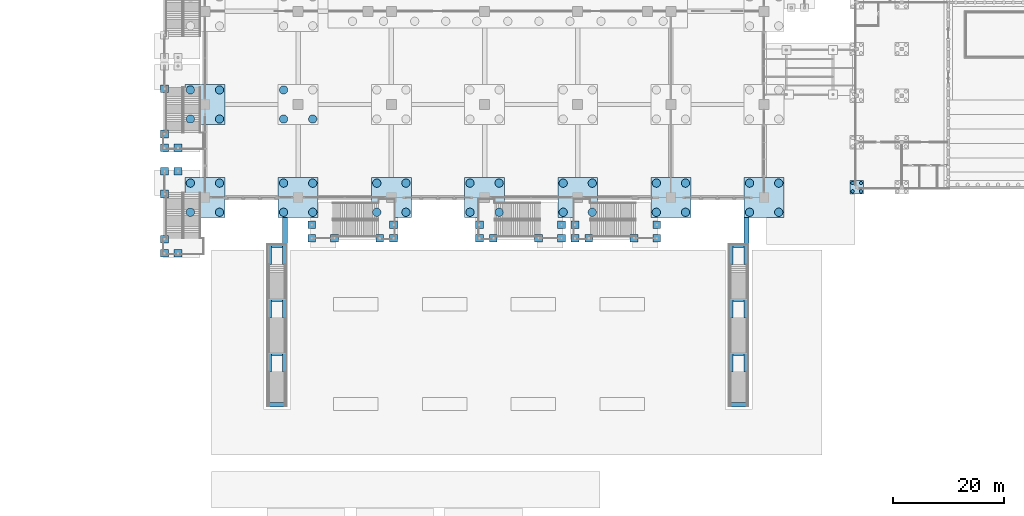
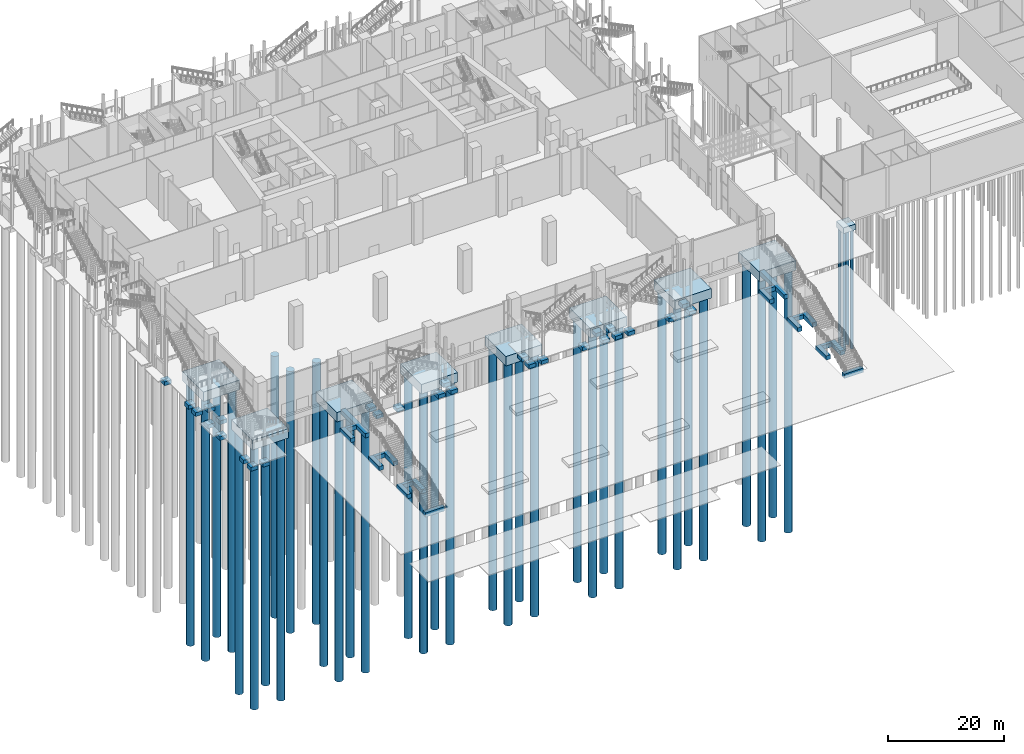
# One storey, part 1 of 72: 57 footings, 39 piles.
"""IFC4 building model written with IfcOpenShell, lengths in metres."""

import ifcopenshell
import ifcopenshell.guid

model = None  # the IFC model being written
_history = None  # IfcOwnerHistory: only IFC2X3 demands one
_inside = {}  # id of a spatial element -> (the spatial element, [elements in it])
_under = {}  # id of a project, library or spatial element -> (it, [spatial elements below it])
_declared = {}  # id of a project -> (the project, [libraries it declares])
_typed = {}  # id of a type object -> (the type object, [elements of that type])
_made_of = {}  # id of a material, layer set ... -> (it, [elements and type objects made of it])


def new_model(schema):
    """Start an empty IFC model of exactly this schema.

    Asked for "IFC4X3", IfcOpenShell would pick the latest addendum, in which some entities
    have other attributes; the version numbers below select the first issue.
    IFC2X3 requires an IfcOwnerHistory on every rooted entity: one is made here for all.
    """
    global model, _history
    if schema == "IFC4X3":
        model = ifcopenshell.file(schema_version=(4, 3, 0, 0))
    else:
        model = ifcopenshell.file(schema=schema)
    _inside.clear()
    _under.clear()
    _declared.clear()
    _typed.clear()
    _made_of.clear()
    _history = None
    if model.schema == "IFC2X3":
        org = make("IfcOrganization", Name="unknown")
        user = make(
            "IfcPersonAndOrganization",
            ThePerson=make("IfcPerson", FamilyName="unknown"),
            TheOrganization=org,
        )
        app = make(
            "IfcApplication",
            ApplicationDeveloper=org,
            Version="unknown",
            ApplicationFullName="unknown",
            ApplicationIdentifier="unknown",
        )
        _history = make(
            "IfcOwnerHistory",
            OwningUser=user,
            OwningApplication=app,
            ChangeAction="ADDED",
            CreationDate=0,
        )
    return model


def make(cls, **values):
    """One entity of the class cls with the attributes given. An attribute that is None is left unset."""
    return model.create_entity(
        cls, **{name: value for name, value in values.items() if value is not None}
    )


def rooted(cls, **values):
    """An entity with a GlobalId (a new one), such as an element, a storey or a relation."""
    return make(cls, GlobalId=ifcopenshell.guid.new(), OwnerHistory=_history, **values)


def si_unit(unit_type, name, prefix=None):
    """IfcSIUnit, for example si_unit("LENGTHUNIT", "METRE", prefix="MILLI")."""
    return make("IfcSIUnit", UnitType=unit_type, Prefix=prefix, Name=name)


def assignment(units):
    """IfcUnitAssignment: the units of a project."""
    return None if units is None else make("IfcUnitAssignment", Units=units)


def point(xyz):
    """IfcCartesianPoint."""
    return None if xyz is None else make("IfcCartesianPoint", Coordinates=xyz)


def direction(xyz):
    """IfcDirection."""
    return None if xyz is None else make("IfcDirection", DirectionRatios=xyz)


def frame(location, z_axis=None, x_axis=None):
    """IfcAxis2Placement3D, a coordinate frame: its origin and axes. An axis left out is left unset."""
    return make(
        "IfcAxis2Placement3D",
        Location=point(location),
        Axis=direction(z_axis),
        RefDirection=direction(x_axis),
    )


def frame_2d(location, x_axis=None):
    """IfcAxis2Placement2D, a coordinate frame in the plane: its origin and x axis."""
    return make(
        "IfcAxis2Placement2D", Location=point(location), RefDirection=direction(x_axis)
    )


def origin():
    """The frame at (0, 0, 0) with its axes left unset."""
    return frame((0.0, 0.0, 0.0))


def origin_2d():
    """The frame at (0, 0) in the plane with its x axis left unset."""
    return frame_2d((0.0, 0.0))


def place(relative_to, where):
    """IfcLocalPlacement: puts the frame where relative to a parent placement (None: the world)."""
    return make(
        "IfcLocalPlacement", PlacementRelTo=relative_to, RelativePlacement=where
    )


def context(
    kind, dimensions, precision=None, world=None, true_north=None, identifier=None
):
    """IfcGeometricRepresentationContext, for example the 3D "Model" context."""
    return make(
        "IfcGeometricRepresentationContext",
        ContextIdentifier=identifier,
        ContextType=kind,
        CoordinateSpaceDimension=dimensions,
        Precision=precision,
        WorldCoordinateSystem=world,
        TrueNorth=true_north,
    )


def subcontext(parent, identifier, kind, view, scale=None):
    """IfcGeometricRepresentationSubContext, for example "Body" below "Model"."""
    return make(
        "IfcGeometricRepresentationSubContext",
        ContextIdentifier=identifier,
        ContextType=kind,
        ParentContext=parent,
        TargetScale=scale,
        TargetView=view,
    )


def project(units=None, contexts=None):
    """IfcProject with its units and contexts."""
    return rooted(
        "IfcProject",
        Name="project",
        RepresentationContexts=contexts,
        UnitsInContext=assignment(units),
    )


def spatial(cls, under=None, at=None, **own):
    """A site, building, storey or space (cls), placed at a placement, below another one or the project."""
    s = rooted(cls, ObjectPlacement=at, **own)
    if under is not None:
        _under.setdefault(under.id(), (under, []))[1].append(s)
    return s


def polyline(points):
    """IfcPolyline through the points."""
    return make("IfcPolyline", Points=[point(p) for p in points])


def profile(cls, at=None, kind="AREA", **sizes):
    """A parametric profile (cls). Its sizes go by their IFC names, for example OverallWidth=200.0."""
    return make(cls, ProfileType=kind, Position=at, **sizes)


def rectangle(**sizes):
    """IfcRectangleProfileDef."""
    return profile("IfcRectangleProfileDef", **sizes)


def circle(**sizes):
    """IfcCircleProfileDef."""
    return profile("IfcCircleProfileDef", **sizes)


def outline(outer, holes=None, kind="AREA"):
    """IfcArbitraryClosedProfileDef: a profile drawn as a closed curve; with holes, ...WithVoids."""
    if holes is None:
        return make("IfcArbitraryClosedProfileDef", ProfileType=kind, OuterCurve=outer)
    return make(
        "IfcArbitraryProfileDefWithVoids",
        ProfileType=kind,
        OuterCurve=outer,
        InnerCurves=holes,
    )


def extrude(swept, where, along, depth):
    """IfcExtrudedAreaSolid: the profile swept, set in the frame where, extruded along a direction by depth."""
    return make(
        "IfcExtrudedAreaSolid",
        SweptArea=swept,
        Position=where,
        ExtrudedDirection=direction(along),
        Depth=depth,
    )


def shape(context_of_items, identifier, shape_type, items):
    """IfcShapeRepresentation: the items that make up one representation, for example the "Body"."""
    return make(
        "IfcShapeRepresentation",
        ContextOfItems=context_of_items,
        RepresentationIdentifier=identifier,
        RepresentationType=shape_type,
        Items=items,
    )


def material(Name=None, Category=None):
    """IfcMaterial."""
    return make("IfcMaterial", Name=Name, Category=Category)


def material_profile(
    of_material, cross_section, Name=None, Category=None, Priority=None
):
    """IfcMaterialProfile: a cross section and its material."""
    return make(
        "IfcMaterialProfile",
        Name=Name,
        Material=of_material,
        Profile=cross_section,
        Priority=Priority,
        Category=Category,
    )


def profile_set(profiles, Name=None, composite=None):
    """IfcMaterialProfileSet."""
    return make(
        "IfcMaterialProfileSet",
        Name=Name,
        MaterialProfiles=profiles,
        CompositeProfile=composite,
    )


def made_of(thing, what):
    """Note that an element or type object is made of a material, layer set ...; save() writes the relation."""
    if what is not None:
        _made_of.setdefault(what.id(), (what, []))[1].append(thing)
    return thing


def type_object(cls, material=None, **own):
    """A type object (cls), such as IfcWallType, which elements share."""
    return made_of(rooted(cls, **own), material)


def element(
    cls,
    number,
    at=None,
    inside=None,
    cuts=None,
    type_object=None,
    material=None,
    context=None,
    identifier="Body",
    shape_type=None,
    held_by="IfcProductDefinitionShape",
    body=None,
    shapes=None,
    **own,
):
    """One element of the class cls, such as IfcWall. Its Tag is "e" and its number.

    at: its placement. inside: the storey or other place that contains it. cuts: it is an
    opening in that element (IfcRelVoidsElement). A single representation is given by context,
    identifier, shape_type and body (its items); several are given by shapes. held_by: the class
    of the entity that holds the representations. save() writes the other relations.
    """
    e = rooted(cls, Tag="e%d" % number, ObjectPlacement=at, **own)
    if body is not None:
        shapes = [shape(context, identifier, shape_type, body)]
    if shapes is not None:
        e.Representation = make(held_by, Representations=shapes)
    if inside is not None:
        _inside.setdefault(inside.id(), (inside, []))[1].append(e)
    if cuts is not None:
        rooted(
            "IfcRelVoidsElement", RelatingBuildingElement=cuts, RelatedOpeningElement=e
        )
    if type_object is not None:
        _typed.setdefault(type_object.id(), (type_object, []))[1].append(e)
    return made_of(e, material)


def aggregate(whole, parts):
    """IfcRelAggregates: a whole, such as a stair, and the parts it consists of."""
    return rooted("IfcRelAggregates", RelatingObject=whole, RelatedObjects=parts)


def save(model, path):
    """Write the relations noted so far, then the file.

    IfcRelAggregates (storeys below a building ...), IfcRelContainedInSpatialStructure (elements
    in a storey), IfcRelDefinesByType, IfcRelAssociatesMaterial and IfcRelDeclares: one each for
    every whole, place, type object, material and project.
    """
    for whole, parts in _under.values():
        aggregate(whole, parts)
    for where, things in _inside.values():
        rooted(
            "IfcRelContainedInSpatialStructure",
            RelatedElements=things,
            RelatingStructure=where,
        )
    for kind, things in _typed.values():
        rooted("IfcRelDefinesByType", RelatedObjects=things, RelatingType=kind)
    for what, things in _made_of.values():
        rooted("IfcRelAssociatesMaterial", RelatedObjects=things, RelatingMaterial=what)
    for by, libraries in _declared.values():
        rooted("IfcRelDeclares", RelatingContext=by, RelatedDefinitions=libraries)
    model.write(path)


model = new_model("IFC4")

# Units and contexts
model_context = context("Model", 3, precision=1e-05, world=origin(), true_north=direction((0.0, 1.0)))
body_context = subcontext(model_context, "Body", "Model", "MODEL_VIEW")
ifc_project = project(units=[si_unit("LENGTHUNIT", "METRE"), si_unit("AREAUNIT", "SQUARE_METRE"), si_unit("VOLUMEUNIT", "CUBIC_METRE"), si_unit("PLANEANGLEUNIT", "RADIAN"), si_unit("MASSUNIT", "GRAM", prefix="KILO")], contexts=[model_context])

# Site, building, storey
site_placement = place(None, origin())
site = spatial("IfcSite", under=ifc_project, at=site_placement, CompositionType="ELEMENT")
building_placement = place(site_placement, origin())
building = spatial("IfcBuilding", under=site, at=building_placement, Name="Candeia Pilgrim Tower and Theatre", CompositionType="ELEMENT")
storey_placement = place(building_placement, origin())
storey = spatial("IfcBuildingStorey", under=building, at=storey_placement, Name="L00", CompositionType="ELEMENT", Elevation=0.0)

# Piles
ifc_material_1 = material(Name="Concrete C40/50", Category="concrete")
ifc_material_profile = material_profile(ifc_material_1, circle(Radius=0.75, at=origin_2d()))
ifc_profile_set = profile_set([ifc_material_profile], Name="Concrete C40/50")
pile_type_1 = type_object("IfcPileType", Name="Bored pile D1500 C40/50", PredefinedType="BORED", material=ifc_profile_set)
for number, where, z_axis, x_axis, name in (
    (1, (56.175048828125, 61.77490234375, -2.35009765625), (0.0, 0.0, -1.0), (1.0, 0.0, 0.0), "Pile P-0252-0336-1"),
    (2, (61.425048828125, 61.77490234375, -2.35009765625), (0.0, 0.0, -1.0), (1.0, 0.0, 0.0), "Pile P-0252-0336-2"),
    (3, (56.175048828125, 67.02490234375, -2.35009765625), (0.0, 0.0, -1.0), (1.0, 0.0, 0.0), "Pile P-0252-0336-3"),
    (4, (61.425048828125, 67.02490234375, -2.35009765625), (0.0, 0.0, -1.0), (1.0, 0.0, 0.0), "Pile P-0252-0336-4"),
    (5, (72.97509765625, 61.77490234375, -2.35009765625), (0.0, 0.0, -1.0), (1.0, 0.0, 0.0), "Pile P-0084-0336-1"),
    (6, (78.22509765625, 61.77490234375, -2.35009765625), (0.0, 0.0, -1.0), (1.0, 0.0, 0.0), "Pile P-0084-0336-2"),
    (7, (72.97509765625, 67.02490234375, -2.35009765625), (0.0, 0.0, -1.0), (1.0, 0.0, 0.0), "Pile P-0084-0336-3"),
    (8, (78.22509765625, 67.02490234375, -2.35009765625), (0.0, 0.0, -1.0), (1.0, 0.0, 0.0), "Pile P-0084-0336-4"),
    (9, (89.77490234375, 61.77490234375, -2.35009765625), (0.0, 0.0, -1.0), (1.0, 0.0, 0.0), "Pile P+0084-0336-1"),
    (10, (95.02490234375, 61.77490234375, -2.35009765625), (0.0, 0.0, -1.0), (1.0, 0.0, 0.0), "Pile P+0084-0336-2"),
    (11, (89.77490234375, 67.02490234375, -2.35009765625), (0.0, 0.0, -1.0), (1.0, 0.0, 0.0), "Pile P+0084-0336-3"),
    (12, (95.02490234375, 67.02490234375, -2.35009765625), (0.0, 0.0, -1.0), (1.0, 0.0, 0.0), "Pile P+0084-0336-4"),
    (13, (106.574951171875, 61.77490234375, -2.35009765625), (0.0, 0.0, -1.0), (1.0, 0.0, 0.0), "Pile P+0252-0336-1"),
    (14, (111.824951171875, 61.77490234375, -2.35009765625), (0.0, 0.0, -1.0), (1.0, 0.0, 0.0), "Pile P+0252-0336-2"),
    (15, (106.574951171875, 67.02490234375, -2.35009765625), (0.0, 0.0, -1.0), (1.0, 0.0, 0.0), "Pile P+0252-0336-3"),
    (16, (111.824951171875, 67.02490234375, -2.35009765625), (0.0, 0.0, -1.0), (1.0, 0.0, 0.0), "Pile P+0252-0336-4"),
    (17, (123.375, 61.77490234375, -2.35009765625), (0.0, 0.0, -1.0), (1.0, 0.0, 0.0), "Pile P+0420-0336-1"),
    (18, (128.625, 61.77490234375, -2.35009765625), (0.0, 0.0, -1.0), (1.0, 0.0, 0.0), "Pile P+0420-0336-2"),
    (19, (123.375, 67.02490234375, -2.35009765625), (0.0, 0.0, -1.0), (1.0, 0.0, 0.0), "Pile P+0420-0336-3"),
    (20, (128.625, 67.02490234375, -2.35009765625), (0.0, 0.0, -1.0), (1.0, 0.0, 0.0), "Pile P+0420-0336-4"),
    (21, (140.175048828125, 61.77490234375, -2.35009765625), (0.0, 0.0, -1.0), (1.0, 0.0, 0.0), "Pile P+0588-0336-1"),
    (22, (145.425048828125, 61.77490234375, -2.35009765625), (0.0, 0.0, -1.0), (1.0, 0.0, 0.0), "Pile P+0588-0336-2"),
    (23, (140.175048828125, 67.02490234375, -2.35009765625), (0.0, 0.0, -1.0), (1.0, 0.0, 0.0), "Pile P+0588-0336-3"),
    (24, (145.425048828125, 67.02490234375, -2.35009765625), (0.0, 0.0, -1.0), (1.0, 0.0, 0.0), "Pile P+0588-0336-4"),
    (25, (156.97509765625, 61.77490234375, -2.35009765625), (0.0, 0.0, -1.0), (1.0, 0.0, 0.0), "Pile P+0756-0336-1"),
    (26, (162.22509765625, 61.77490234375, -2.35009765625), (0.0, 0.0, -1.0), (1.0, 0.0, 0.0), "Pile P+0756-0336-2"),
    (27, (156.97509765625, 67.02490234375, -2.35009765625), (0.0, 0.0, -1.0), (1.0, 0.0, 0.0), "Pile P+0756-0336-3"),
    (28, (162.22509765625, 67.02490234375, -2.35009765625), (0.0, 0.0, -1.0), (1.0, 0.0, 0.0), "Pile P+0756-0336-4"),
    (29, (56.175048828125, 78.574951171875, -2.35009765625), (0.0, 0.0, -1.0), (1.0, 0.0, 0.0), "Pile P-0252-0168-1"),
    (30, (61.425048828125, 78.574951171875, -2.35009765625), (0.0, 0.0, -1.0), (1.0, 0.0, 0.0), "Pile P-0252-0168-2"),
    (31, (56.175048828125, 83.824951171875, -2.35009765625), (0.0, 0.0, -1.0), (1.0, 0.0, 0.0), "Pile P-0252-0168-3"),
    (32, (61.425048828125, 83.824951171875, -2.35009765625), (0.0, 0.0, -1.0), (1.0, 0.0, 0.0), "Pile P-0252-0168-4"),
    (33, (72.97509765625, 78.574951171875, -2.35009765625), (0.0, 0.0, -1.0), (1.0, 0.0, 0.0), "Pile P-0084-0168-1"),
    (34, (78.22509765625, 78.574951171875, -2.35009765625), (0.0, 0.0, -1.0), (1.0, 0.0, 0.0), "Pile P-0084-0168-2"),
    (35, (72.97509765625, 83.824951171875, -2.35009765625), (0.0, 0.0, -1.0), (1.0, 0.0, 0.0), "Pile P-0084-0168-3"),
):
    element("IfcPile", number, at=place(storey_placement, frame(where, z_axis=z_axis, x_axis=x_axis)), inside=storey, type_object=pile_type_1, Name=name, PredefinedType="BORED", context=body_context, shape_type="SweptSolid", body=[
        extrude(circle(Radius=0.75, at=origin_2d()), origin(), (0.0, 0.0, 1.0), 55.0),
    ])
ifc_material_2 = material(Name="Concrete C35/45", Category="concrete")
pile_type_2 = type_object("IfcPileType", Name="Bored pile D600", PredefinedType="BORED", material=ifc_material_2)
for number, where, z_axis, x_axis, name in (
    (36, (175.550048828125, 65.550048828125, -1.5), (0.0, 0.0, -1.0), (1.0, 0.0, 0.0), "T-FP-A1-1"),
    (37, (177.050048828125, 65.550048828125, -1.5), (0.0, 0.0, -1.0), (1.0, 0.0, 0.0), "T-FP-A1-2"),
    (38, (175.550048828125, 67.050048828125, -1.5), (0.0, 0.0, -1.0), (1.0, 0.0, 0.0), "T-FP-A1-3"),
    (39, (177.050048828125, 67.050048828125, -1.5), (0.0, 0.0, -1.0), (1.0, 0.0, 0.0), "T-FP-A1-4"),
):
    element("IfcPile", number, at=place(storey_placement, frame(where, z_axis=z_axis, x_axis=x_axis)), inside=storey, type_object=pile_type_2, Name=name, PredefinedType="BORED", context=body_context, shape_type="SweptSolid", body=[
        extrude(circle(Radius=0.300048828125, at=origin_2d()), origin(), (0.0, 0.0, 1.0), 25.0),
    ])

# Footings
footing_type_1 = type_object("IfcFootingType", Name="Escape stair pad footing 1400", PredefinedType="PAD_FOOTING", material=ifc_material_2)
footing_1_placement = place(storey_placement, frame((0.0, 0.0, -1.0)))
element("IfcFooting", 40, at=footing_1_placement, inside=storey, type_object=footing_type_1, Name="External escape stair ES8 pad N1", PredefinedType="PAD_FOOTING", context=body_context, shape_type="SweptSolid", body=[
    extrude(outline(polyline([(77.35009765625, 56.39990234375), (78.75, 56.39990234375), (78.75, 57.800048828125), (77.35009765625, 57.800048828125), (77.35009765625, 56.39990234375)])), origin(), (0.0, 0.0, 1.0), 0.800048828125),
])
footing_2_placement = place(storey_placement, frame((0.0, 0.0, -1.0)))
element("IfcFooting", 41, at=footing_2_placement, inside=storey, type_object=footing_type_1, Name="External escape stair ES8 pad N2", PredefinedType="PAD_FOOTING", context=body_context, shape_type="SweptSolid", body=[
    extrude(outline(polyline([(81.449951171875, 56.39990234375), (82.85009765625, 56.39990234375), (82.85009765625, 57.800048828125), (81.449951171875, 57.800048828125), (81.449951171875, 56.39990234375)])), origin(), (0.0, 0.0, 1.0), 0.800048828125),
])
footing_3_placement = place(storey_placement, frame((0.0, 0.0, -1.0)))
element("IfcFooting", 42, at=footing_3_placement, inside=storey, type_object=footing_type_1, Name="External escape stair ES8 pad N3", PredefinedType="PAD_FOOTING", context=body_context, shape_type="SweptSolid", body=[
    extrude(outline(polyline([(77.35009765625, 58.824951171875), (78.75, 58.824951171875), (78.75, 60.22509765625), (77.35009765625, 60.22509765625), (77.35009765625, 58.824951171875)])), origin(), (0.0, 0.0, 1.0), 0.800048828125),
])
footing_4_placement = place(storey_placement, frame((0.0, 0.0, -1.0)))
element("IfcFooting", 43, at=footing_4_placement, inside=storey, type_object=footing_type_1, Name="External escape stair ES8 pad F1", PredefinedType="PAD_FOOTING", context=body_context, shape_type="SweptSolid", body=[
    extrude(outline(polyline([(89.610107421875, 56.39990234375), (91.010009765625, 56.39990234375), (91.010009765625, 57.800048828125), (89.610107421875, 57.800048828125), (89.610107421875, 56.39990234375)])), origin(), (0.0, 0.0, 1.0), 0.800048828125),
])
footing_5_placement = place(storey_placement, frame((0.0, 0.0, -1.0)))
element("IfcFooting", 44, at=footing_5_placement, inside=storey, type_object=footing_type_1, Name="External escape stair ES8 pad F2", PredefinedType="PAD_FOOTING", context=body_context, shape_type="SweptSolid", body=[
    extrude(outline(polyline([(92.110107421875, 56.39990234375), (93.510009765625, 56.39990234375), (93.510009765625, 57.800048828125), (92.110107421875, 57.800048828125), (92.110107421875, 56.39990234375)])), origin(), (0.0, 0.0, 1.0), 0.800048828125),
])
footing_6_placement = place(storey_placement, frame((0.0, 0.0, -1.0)))
element("IfcFooting", 45, at=footing_6_placement, inside=storey, type_object=footing_type_1, Name="External escape stair ES8 pad F3", PredefinedType="PAD_FOOTING", context=body_context, shape_type="SweptSolid", body=[
    extrude(outline(polyline([(92.110107421875, 58.824951171875), (93.510009765625, 58.824951171875), (93.510009765625, 60.22509765625), (92.110107421875, 60.22509765625), (92.110107421875, 58.824951171875)])), origin(), (0.0, 0.0, 1.0), 0.800048828125),
])
footing_7_placement = place(storey_placement, frame((0.0, 0.0, -1.0)))
element("IfcFooting", 46, at=footing_7_placement, inside=storey, type_object=footing_type_1, Name="External escape stair ES9 pad N1", PredefinedType="PAD_FOOTING", context=body_context, shape_type="SweptSolid", body=[
    extrude(outline(polyline([(122.35009765625, 56.39990234375), (123.75, 56.39990234375), (123.75, 57.800048828125), (122.35009765625, 57.800048828125), (122.35009765625, 56.39990234375)])), origin(), (0.0, 0.0, 1.0), 0.800048828125),
])
footing_8_placement = place(storey_placement, frame((0.0, 0.0, -1.0)))
element("IfcFooting", 47, at=footing_8_placement, inside=storey, type_object=footing_type_1, Name="External escape stair ES9 pad N2", PredefinedType="PAD_FOOTING", context=body_context, shape_type="SweptSolid", body=[
    extrude(outline(polyline([(118.25, 56.39990234375), (119.64990234375, 56.39990234375), (119.64990234375, 57.800048828125), (118.25, 57.800048828125), (118.25, 56.39990234375)])), origin(), (0.0, 0.0, 1.0), 0.800048828125),
])
footing_9_placement = place(storey_placement, frame((0.0, 0.0, -1.0)))
element("IfcFooting", 48, at=footing_9_placement, inside=storey, type_object=footing_type_1, Name="External escape stair ES9 pad N3", PredefinedType="PAD_FOOTING", context=body_context, shape_type="SweptSolid", body=[
    extrude(outline(polyline([(122.35009765625, 58.824951171875), (123.75, 58.824951171875), (123.75, 60.22509765625), (122.35009765625, 60.22509765625), (122.35009765625, 58.824951171875)])), origin(), (0.0, 0.0, 1.0), 0.800048828125),
])
footing_10_placement = place(storey_placement, frame((0.0, 0.0, -1.0)))
element("IfcFooting", 49, at=footing_10_placement, inside=storey, type_object=footing_type_1, Name="External escape stair ES9 pad F1", PredefinedType="PAD_FOOTING", context=body_context, shape_type="SweptSolid", body=[
    extrude(outline(polyline([(110.090087890625, 56.39990234375), (111.489990234375, 56.39990234375), (111.489990234375, 57.800048828125), (110.090087890625, 57.800048828125), (110.090087890625, 56.39990234375)])), origin(), (0.0, 0.0, 1.0), 0.800048828125),
])
footing_11_placement = place(storey_placement, frame((0.0, 0.0, -1.0)))
element("IfcFooting", 50, at=footing_11_placement, inside=storey, type_object=footing_type_1, Name="External escape stair ES9 pad F2", PredefinedType="PAD_FOOTING", context=body_context, shape_type="SweptSolid", body=[
    extrude(outline(polyline([(107.590087890625, 56.39990234375), (108.989990234375, 56.39990234375), (108.989990234375, 57.800048828125), (107.590087890625, 57.800048828125), (107.590087890625, 56.39990234375)])), origin(), (0.0, 0.0, 1.0), 0.800048828125),
])
footing_12_placement = place(storey_placement, frame((0.0, 0.0, -1.0)))
element("IfcFooting", 51, at=footing_12_placement, inside=storey, type_object=footing_type_1, Name="External escape stair ES9 pad F3", PredefinedType="PAD_FOOTING", context=body_context, shape_type="SweptSolid", body=[
    extrude(outline(polyline([(107.590087890625, 58.824951171875), (108.989990234375, 58.824951171875), (108.989990234375, 60.22509765625), (107.590087890625, 60.22509765625), (107.590087890625, 58.824951171875)])), origin(), (0.0, 0.0, 1.0), 0.800048828125),
])
footing_13_placement = place(storey_placement, frame((0.0, 0.0, -1.0)))
element("IfcFooting", 52, at=footing_13_placement, inside=storey, type_object=footing_type_1, Name="External escape stair ES10 pad N1", PredefinedType="PAD_FOOTING", context=body_context, shape_type="SweptSolid", body=[
    extrude(outline(polyline([(50.800048828125, 68.449951171875), (52.199951171875, 68.449951171875), (52.199951171875, 69.85009765625), (50.800048828125, 69.85009765625), (50.800048828125, 68.449951171875)])), origin(), (0.0, 0.0, 1.0), 0.800048828125),
])
footing_14_placement = place(storey_placement, frame((0.0, 0.0, -1.0)))
element("IfcFooting", 53, at=footing_14_placement, inside=storey, type_object=footing_type_1, Name="External escape stair ES10 pad N2", PredefinedType="PAD_FOOTING", context=body_context, shape_type="SweptSolid", body=[
    extrude(outline(polyline([(50.800048828125, 64.35009765625), (52.199951171875, 64.35009765625), (52.199951171875, 65.75), (50.800048828125, 65.75), (50.800048828125, 64.35009765625)])), origin(), (0.0, 0.0, 1.0), 0.800048828125),
])
footing_15_placement = place(storey_placement, frame((0.0, 0.0, -1.0)))
element("IfcFooting", 54, at=footing_15_placement, inside=storey, type_object=footing_type_1, Name="External escape stair ES10 pad N3", PredefinedType="PAD_FOOTING", context=body_context, shape_type="SweptSolid", body=[
    extrude(outline(polyline([(53.22509765625, 68.449951171875), (54.625, 68.449951171875), (54.625, 69.85009765625), (53.22509765625, 69.85009765625), (53.22509765625, 68.449951171875)])), origin(), (0.0, 0.0, 1.0), 0.800048828125),
])
footing_16_placement = place(storey_placement, frame((0.0, 0.0, -1.0)))
element("IfcFooting", 55, at=footing_16_placement, inside=storey, type_object=footing_type_1, Name="External escape stair ES10 pad F1", PredefinedType="PAD_FOOTING", context=body_context, shape_type="SweptSolid", body=[
    extrude(outline(polyline([(50.800048828125, 56.18994140625), (52.199951171875, 56.18994140625), (52.199951171875, 57.590087890625), (50.800048828125, 57.590087890625), (50.800048828125, 56.18994140625)])), origin(), (0.0, 0.0, 1.0), 0.800048828125),
])
footing_17_placement = place(storey_placement, frame((0.0, 0.0, -1.0)))
element("IfcFooting", 56, at=footing_17_placement, inside=storey, type_object=footing_type_1, Name="External escape stair ES10 pad F2", PredefinedType="PAD_FOOTING", context=body_context, shape_type="SweptSolid", body=[
    extrude(outline(polyline([(50.800048828125, 53.68994140625), (52.199951171875, 53.68994140625), (52.199951171875, 55.090087890625), (50.800048828125, 55.090087890625), (50.800048828125, 53.68994140625)])), origin(), (0.0, 0.0, 1.0), 0.800048828125),
])
footing_18_placement = place(storey_placement, frame((0.0, 0.0, -1.0)))
element("IfcFooting", 57, at=footing_18_placement, inside=storey, type_object=footing_type_1, Name="External escape stair ES10 pad F3", PredefinedType="PAD_FOOTING", context=body_context, shape_type="SweptSolid", body=[
    extrude(outline(polyline([(53.22509765625, 53.68994140625), (54.625, 53.68994140625), (54.625, 55.090087890625), (53.22509765625, 55.090087890625), (53.22509765625, 53.68994140625)])), origin(), (0.0, 0.0, 1.0), 0.800048828125),
])
footing_19_placement = place(storey_placement, frame((0.0, 0.0, -1.0)))
element("IfcFooting", 58, at=footing_19_placement, inside=storey, type_object=footing_type_1, Name="External escape stair ES11 pad N2", PredefinedType="PAD_FOOTING", context=body_context, shape_type="SweptSolid", body=[
    extrude(outline(polyline([(50.800048828125, 83.35009765625), (52.199951171875, 83.35009765625), (52.199951171875, 84.75), (50.800048828125, 84.75), (50.800048828125, 83.35009765625)])), origin(), (0.0, 0.0, 1.0), 0.800048828125),
])
footing_20_placement = place(storey_placement, frame((0.0, 0.0, -1.0)))
element("IfcFooting", 59, at=footing_20_placement, inside=storey, type_object=footing_type_1, Name="External escape stair ES11 pad F1", PredefinedType="PAD_FOOTING", context=body_context, shape_type="SweptSolid", body=[
    extrude(outline(polyline([(50.800048828125, 75.18994140625), (52.199951171875, 75.18994140625), (52.199951171875, 76.590087890625), (50.800048828125, 76.590087890625), (50.800048828125, 75.18994140625)])), origin(), (0.0, 0.0, 1.0), 0.800048828125),
])
footing_21_placement = place(storey_placement, frame((0.0, 0.0, -1.0)))
element("IfcFooting", 60, at=footing_21_placement, inside=storey, type_object=footing_type_1, Name="External escape stair ES11 pad F2", PredefinedType="PAD_FOOTING", context=body_context, shape_type="SweptSolid", body=[
    extrude(outline(polyline([(50.800048828125, 72.68994140625), (52.199951171875, 72.68994140625), (52.199951171875, 74.090087890625), (50.800048828125, 74.090087890625), (50.800048828125, 72.68994140625)])), origin(), (0.0, 0.0, 1.0), 0.800048828125),
])
footing_22_placement = place(storey_placement, frame((0.0, 0.0, -1.0)))
element("IfcFooting", 61, at=footing_22_placement, inside=storey, type_object=footing_type_1, Name="External escape stair ES11 pad F3", PredefinedType="PAD_FOOTING", context=body_context, shape_type="SweptSolid", body=[
    extrude(outline(polyline([(53.22509765625, 72.68994140625), (54.625, 72.68994140625), (54.625, 74.090087890625), (53.22509765625, 74.090087890625), (53.22509765625, 72.68994140625)])), origin(), (0.0, 0.0, 1.0), 0.800048828125),
])
footing_23_placement = place(storey_placement, frame((0.0, 0.0, -1.0)))
element("IfcFooting", 62, at=footing_23_placement, inside=storey, type_object=footing_type_1, Name="External escape stair ES16 pad N1", PredefinedType="PAD_FOOTING", context=body_context, shape_type="SweptSolid", body=[
    extrude(outline(polyline([(139.550048828125, 56.39990234375), (140.949951171875, 56.39990234375), (140.949951171875, 57.800048828125), (139.550048828125, 57.800048828125), (139.550048828125, 56.39990234375)])), origin(), (0.0, 0.0, 1.0), 0.800048828125),
])
footing_24_placement = place(storey_placement, frame((0.0, 0.0, -1.0)))
element("IfcFooting", 63, at=footing_24_placement, inside=storey, type_object=footing_type_1, Name="External escape stair ES16 pad N2", PredefinedType="PAD_FOOTING", context=body_context, shape_type="SweptSolid", body=[
    extrude(outline(polyline([(135.449951171875, 56.39990234375), (136.85009765625, 56.39990234375), (136.85009765625, 57.800048828125), (135.449951171875, 57.800048828125), (135.449951171875, 56.39990234375)])), origin(), (0.0, 0.0, 1.0), 0.800048828125),
])
footing_25_placement = place(storey_placement, frame((0.0, 0.0, -1.0)))
element("IfcFooting", 64, at=footing_25_placement, inside=storey, type_object=footing_type_1, Name="External escape stair ES16 pad N3", PredefinedType="PAD_FOOTING", context=body_context, shape_type="SweptSolid", body=[
    extrude(outline(polyline([(139.550048828125, 58.824951171875), (140.949951171875, 58.824951171875), (140.949951171875, 60.22509765625), (139.550048828125, 60.22509765625), (139.550048828125, 58.824951171875)])), origin(), (0.0, 0.0, 1.0), 0.800048828125),
])
footing_26_placement = place(storey_placement, frame((0.0, 0.0, -1.0)))
element("IfcFooting", 65, at=footing_26_placement, inside=storey, type_object=footing_type_1, Name="External escape stair ES16 pad F1", PredefinedType="PAD_FOOTING", context=body_context, shape_type="SweptSolid", body=[
    extrude(outline(polyline([(127.2900390625, 56.39990234375), (128.68994140625, 56.39990234375), (128.68994140625, 57.800048828125), (127.2900390625, 57.800048828125), (127.2900390625, 56.39990234375)])), origin(), (0.0, 0.0, 1.0), 0.800048828125),
])
footing_27_placement = place(storey_placement, frame((0.0, 0.0, -1.0)))
element("IfcFooting", 66, at=footing_27_placement, inside=storey, type_object=footing_type_1, Name="External escape stair ES16 pad F2", PredefinedType="PAD_FOOTING", context=body_context, shape_type="SweptSolid", body=[
    extrude(outline(polyline([(124.7900390625, 56.39990234375), (126.18994140625, 56.39990234375), (126.18994140625, 57.800048828125), (124.7900390625, 57.800048828125), (124.7900390625, 56.39990234375)])), origin(), (0.0, 0.0, 1.0), 0.800048828125),
])
footing_28_placement = place(storey_placement, frame((0.0, 0.0, -1.0)))
element("IfcFooting", 67, at=footing_28_placement, inside=storey, type_object=footing_type_1, Name="External escape stair ES16 pad F3", PredefinedType="PAD_FOOTING", context=body_context, shape_type="SweptSolid", body=[
    extrude(outline(polyline([(124.7900390625, 58.824951171875), (126.18994140625, 58.824951171875), (126.18994140625, 60.22509765625), (124.7900390625, 60.22509765625), (124.7900390625, 58.824951171875)])), origin(), (0.0, 0.0, 1.0), 0.800048828125),
])
footing_type_2 = type_object("IfcFootingType", Name="Garden stair strip footing 900", PredefinedType="STRIP_FOOTING", material=ifc_material_2)
footing_29_placement = place(storey_placement, frame((0.0, 0.0, -0.89990234375)))
element("IfcFooting", 68, at=footing_29_placement, inside=storey, type_object=footing_type_2, Name="Garden stair W base footing", PredefinedType="STRIP_FOOTING", context=body_context, shape_type="SweptSolid", body=[
    extrude(outline(polyline([(69.89990234375, 26.639892578125), (73.699951171875, 26.639892578125), (73.699951171875, 27.43994140625), (69.89990234375, 27.43994140625), (69.89990234375, 26.639892578125)])), origin(), (0.0, 0.0, 1.0), 0.89990234375),
])
footing_30_placement = place(storey_placement, frame((0.0, 0.0, -0.89990234375)))
element("IfcFooting", 69, at=footing_30_placement, inside=storey, type_object=footing_type_2, Name="Garden stair W support footing 1.1", PredefinedType="STRIP_FOOTING", context=body_context, shape_type="SweptSolid", body=[
    extrude(outline(polyline([(69.89990234375, 32.9599609375), (70.800048828125, 32.9599609375), (70.800048828125, 36.56005859375), (69.89990234375, 36.56005859375), (69.89990234375, 32.9599609375)])), origin(), (0.0, 0.0, 1.0), 0.89990234375),
])
footing_31_placement = place(storey_placement, frame((0.0, 0.0, -0.89990234375)))
element("IfcFooting", 70, at=footing_31_placement, inside=storey, type_object=footing_type_2, Name="Garden stair W support footing 1.2", PredefinedType="STRIP_FOOTING", context=body_context, shape_type="SweptSolid", body=[
    extrude(outline(polyline([(72.800048828125, 32.9599609375), (73.699951171875, 32.9599609375), (73.699951171875, 36.56005859375), (72.800048828125, 36.56005859375), (72.800048828125, 32.9599609375)])), origin(), (0.0, 0.0, 1.0), 0.89990234375),
])
footing_32_placement = place(storey_placement, frame((0.0, 0.0, -0.89990234375)))
element("IfcFooting", 71, at=footing_32_placement, inside=storey, type_object=footing_type_2, Name="Garden stair W back footing 1", PredefinedType="STRIP_FOOTING", context=body_context, shape_type="SweptSolid", body=[
    extrude(outline(polyline([(70.800048828125, 35.9599609375), (72.800048828125, 35.9599609375), (72.800048828125, 36.56005859375), (70.800048828125, 36.56005859375), (70.800048828125, 35.9599609375)])), origin(), (0.0, 0.0, 1.0), 0.89990234375),
])
footing_33_placement = place(storey_placement, frame((0.0, 0.0, -0.89990234375)))
element("IfcFooting", 72, at=footing_33_placement, inside=storey, type_object=footing_type_2, Name="Garden stair W support footing 2.1", PredefinedType="STRIP_FOOTING", context=body_context, shape_type="SweptSolid", body=[
    extrude(outline(polyline([(69.89990234375, 42.679931640625), (70.800048828125, 42.679931640625), (70.800048828125, 46.280029296875), (69.89990234375, 46.280029296875), (69.89990234375, 42.679931640625)])), origin(), (0.0, 0.0, 1.0), 0.89990234375),
])
footing_34_placement = place(storey_placement, frame((0.0, 0.0, -0.89990234375)))
element("IfcFooting", 73, at=footing_34_placement, inside=storey, type_object=footing_type_2, Name="Garden stair W support footing 2.2", PredefinedType="STRIP_FOOTING", context=body_context, shape_type="SweptSolid", body=[
    extrude(outline(polyline([(72.800048828125, 42.679931640625), (73.699951171875, 42.679931640625), (73.699951171875, 46.280029296875), (72.800048828125, 46.280029296875), (72.800048828125, 42.679931640625)])), origin(), (0.0, 0.0, 1.0), 0.89990234375),
])
footing_35_placement = place(storey_placement, frame((0.0, 0.0, -0.89990234375)))
element("IfcFooting", 74, at=footing_35_placement, inside=storey, type_object=footing_type_2, Name="Garden stair W back footing 2", PredefinedType="STRIP_FOOTING", context=body_context, shape_type="SweptSolid", body=[
    extrude(outline(polyline([(70.800048828125, 45.679931640625), (72.800048828125, 45.679931640625), (72.800048828125, 46.280029296875), (70.800048828125, 46.280029296875), (70.800048828125, 45.679931640625)])), origin(), (0.0, 0.0, 1.0), 0.89990234375),
])
footing_36_placement = place(storey_placement, frame((0.0, 0.0, -0.89990234375)))
element("IfcFooting", 75, at=footing_36_placement, inside=storey, type_object=footing_type_2, Name="Garden stair W support footing 3.1", PredefinedType="STRIP_FOOTING", context=body_context, shape_type="SweptSolid", body=[
    extrude(outline(polyline([(69.89990234375, 52.39990234375), (70.800048828125, 52.39990234375), (70.800048828125, 56.0), (69.89990234375, 56.0), (69.89990234375, 52.39990234375)])), origin(), (0.0, 0.0, 1.0), 0.89990234375),
])
footing_37_placement = place(storey_placement, frame((0.0, 0.0, -0.89990234375)))
element("IfcFooting", 76, at=footing_37_placement, inside=storey, type_object=footing_type_2, Name="Garden stair W support footing 3.2", PredefinedType="STRIP_FOOTING", context=body_context, shape_type="SweptSolid", body=[
    extrude(outline(polyline([(72.800048828125, 52.39990234375), (73.699951171875, 52.39990234375), (73.699951171875, 60.800048828125), (72.800048828125, 60.800048828125), (72.800048828125, 52.39990234375)])), origin(), (0.0, 0.0, 1.0), 0.89990234375),
])
footing_38_placement = place(storey_placement, frame((0.0, 0.0, -0.89990234375)))
element("IfcFooting", 77, at=footing_38_placement, inside=storey, type_object=footing_type_2, Name="Garden stair W back footing 3", PredefinedType="STRIP_FOOTING", context=body_context, shape_type="SweptSolid", body=[
    extrude(outline(polyline([(70.800048828125, 55.39990234375), (72.800048828125, 55.39990234375), (72.800048828125, 56.0), (70.800048828125, 56.0), (70.800048828125, 55.39990234375)])), origin(), (0.0, 0.0, 1.0), 0.89990234375),
])
footing_39_placement = place(storey_placement, frame((0.0, 0.0, -0.89990234375)))
element("IfcFooting", 78, at=footing_39_placement, inside=storey, type_object=footing_type_2, Name="Garden stair E base footing", PredefinedType="STRIP_FOOTING", context=body_context, shape_type="SweptSolid", body=[
    extrude(outline(polyline([(153.10009765625, 26.639892578125), (156.89990234375, 26.639892578125), (156.89990234375, 27.43994140625), (153.10009765625, 27.43994140625), (153.10009765625, 26.639892578125)])), origin(), (0.0, 0.0, 1.0), 0.89990234375),
])
footing_40_placement = place(storey_placement, frame((0.0, 0.0, -0.89990234375)))
element("IfcFooting", 79, at=footing_40_placement, inside=storey, type_object=footing_type_2, Name="Garden stair E support footing 1.1", PredefinedType="STRIP_FOOTING", context=body_context, shape_type="SweptSolid", body=[
    extrude(outline(polyline([(153.10009765625, 32.9599609375), (154.0, 32.9599609375), (154.0, 36.56005859375), (153.10009765625, 36.56005859375), (153.10009765625, 32.9599609375)])), origin(), (0.0, 0.0, 1.0), 0.89990234375),
])
footing_41_placement = place(storey_placement, frame((0.0, 0.0, -0.89990234375)))
element("IfcFooting", 80, at=footing_41_placement, inside=storey, type_object=footing_type_2, Name="Garden stair E support footing 1.2", PredefinedType="STRIP_FOOTING", context=body_context, shape_type="SweptSolid", body=[
    extrude(outline(polyline([(156.0, 32.9599609375), (156.89990234375, 32.9599609375), (156.89990234375, 36.56005859375), (156.0, 36.56005859375), (156.0, 32.9599609375)])), origin(), (0.0, 0.0, 1.0), 0.89990234375),
])
footing_42_placement = place(storey_placement, frame((0.0, 0.0, -0.89990234375)))
element("IfcFooting", 81, at=footing_42_placement, inside=storey, type_object=footing_type_2, Name="Garden stair E back footing 1", PredefinedType="STRIP_FOOTING", context=body_context, shape_type="SweptSolid", body=[
    extrude(outline(polyline([(154.0, 35.9599609375), (156.0, 35.9599609375), (156.0, 36.56005859375), (154.0, 36.56005859375), (154.0, 35.9599609375)])), origin(), (0.0, 0.0, 1.0), 0.89990234375),
])
footing_43_placement = place(storey_placement, frame((0.0, 0.0, -0.89990234375)))
element("IfcFooting", 82, at=footing_43_placement, inside=storey, type_object=footing_type_2, Name="Garden stair E support footing 2.1", PredefinedType="STRIP_FOOTING", context=body_context, shape_type="SweptSolid", body=[
    extrude(outline(polyline([(153.10009765625, 42.679931640625), (154.0, 42.679931640625), (154.0, 46.280029296875), (153.10009765625, 46.280029296875), (153.10009765625, 42.679931640625)])), origin(), (0.0, 0.0, 1.0), 0.89990234375),
])
footing_44_placement = place(storey_placement, frame((0.0, 0.0, -0.89990234375)))
element("IfcFooting", 83, at=footing_44_placement, inside=storey, type_object=footing_type_2, Name="Garden stair E support footing 2.2", PredefinedType="STRIP_FOOTING", context=body_context, shape_type="SweptSolid", body=[
    extrude(outline(polyline([(156.0, 42.679931640625), (156.89990234375, 42.679931640625), (156.89990234375, 46.280029296875), (156.0, 46.280029296875), (156.0, 42.679931640625)])), origin(), (0.0, 0.0, 1.0), 0.89990234375),
])
footing_45_placement = place(storey_placement, frame((0.0, 0.0, -0.89990234375)))
element("IfcFooting", 84, at=footing_45_placement, inside=storey, type_object=footing_type_2, Name="Garden stair E back footing 2", PredefinedType="STRIP_FOOTING", context=body_context, shape_type="SweptSolid", body=[
    extrude(outline(polyline([(154.0, 45.679931640625), (156.0, 45.679931640625), (156.0, 46.280029296875), (154.0, 46.280029296875), (154.0, 45.679931640625)])), origin(), (0.0, 0.0, 1.0), 0.89990234375),
])
footing_46_placement = place(storey_placement, frame((0.0, 0.0, -0.89990234375)))
element("IfcFooting", 85, at=footing_46_placement, inside=storey, type_object=footing_type_2, Name="Garden stair E support footing 3.1", PredefinedType="STRIP_FOOTING", context=body_context, shape_type="SweptSolid", body=[
    extrude(outline(polyline([(153.10009765625, 52.39990234375), (154.0, 52.39990234375), (154.0, 56.0), (153.10009765625, 56.0), (153.10009765625, 52.39990234375)])), origin(), (0.0, 0.0, 1.0), 0.89990234375),
])
footing_47_placement = place(storey_placement, frame((0.0, 0.0, -0.89990234375)))
element("IfcFooting", 86, at=footing_47_placement, inside=storey, type_object=footing_type_2, Name="Garden stair E support footing 3.2", PredefinedType="STRIP_FOOTING", context=body_context, shape_type="SweptSolid", body=[
    extrude(outline(polyline([(156.0, 52.39990234375), (156.89990234375, 52.39990234375), (156.89990234375, 60.800048828125), (156.0, 60.800048828125), (156.0, 52.39990234375)])), origin(), (0.0, 0.0, 1.0), 0.89990234375),
])
footing_48_placement = place(storey_placement, frame((0.0, 0.0, -0.89990234375)))
element("IfcFooting", 87, at=footing_48_placement, inside=storey, type_object=footing_type_2, Name="Garden stair E back footing 3", PredefinedType="STRIP_FOOTING", context=body_context, shape_type="SweptSolid", body=[
    extrude(outline(polyline([(154.0, 55.39990234375), (156.0, 55.39990234375), (156.0, 56.0), (154.0, 56.0), (154.0, 55.39990234375)])), origin(), (0.0, 0.0, 1.0), 0.89990234375),
])
footing_type_3 = type_object("IfcFootingType", Name="RC pile cap 7200x7200x2000 C40/50", PredefinedType="PILE_CAP", material=ifc_material_1)
for number, where, z_axis, x_axis, name in (
    (88, (58.800048828125, 64.39990234375, -2.35009765625), (0.0, 0.0, 1.0), (1.0, 0.0, 0.0), "Pile cap P-0252-0336"),
    (89, (75.60009765625, 64.39990234375, -2.35009765625), (0.0, 0.0, 1.0), (1.0, 0.0, 0.0), "Pile cap P-0084-0336"),
    (90, (92.39990234375, 64.39990234375, -2.35009765625), (0.0, 0.0, 1.0), (1.0, 0.0, 0.0), "Pile cap P+0084-0336"),
    (91, (109.199951171875, 64.39990234375, -2.35009765625), (0.0, 0.0, 1.0), (1.0, 0.0, 0.0), "Pile cap P+0252-0336"),
    (92, (126.0, 64.39990234375, -2.35009765625), (0.0, 0.0, 1.0), (1.0, 0.0, 0.0), "Pile cap P+0420-0336"),
    (93, (142.800048828125, 64.39990234375, -2.35009765625), (0.0, 0.0, 1.0), (1.0, 0.0, 0.0), "Pile cap P+0588-0336"),
    (94, (159.60009765625, 64.39990234375, -2.35009765625), (0.0, 0.0, 1.0), (1.0, 0.0, 0.0), "Pile cap P+0756-0336"),
    (95, (58.800048828125, 81.199951171875, -2.35009765625), (0.0, 0.0, 1.0), (1.0, 0.0, 0.0), "Pile cap P-0252-0168"),
):
    element("IfcFooting", number, at=place(storey_placement, frame(where, z_axis=z_axis, x_axis=x_axis)), inside=storey, type_object=footing_type_3, Name=name, PredefinedType="PILE_CAP", context=body_context, shape_type="SweptSolid", body=[
        extrude(rectangle(XDim=7.199951171875, YDim=7.199951171875, at=origin_2d()), origin(), (0.0, 0.0, 1.0), 2.0),
    ])
footing_type_4 = type_object("IfcFootingType", Name="Theatre pile cap 2400x2400", PredefinedType="PILE_CAP", material=ifc_material_2)
footing_49_placement = place(storey_placement, frame((0.0, 0.0, -1.5)))
element("IfcFooting", 96, at=footing_49_placement, inside=storey, type_object=footing_type_4, Name="Pile cap A1", PredefinedType="PILE_CAP", context=body_context, shape_type="SweptSolid", body=[
    extrude(outline(polyline([(175.10009765625, 65.10009765625), (177.5, 65.10009765625), (177.5, 67.5), (175.10009765625, 67.5), (175.10009765625, 65.10009765625)])), origin(), (0.0, 0.0, 1.0), 1.199951171875),
])

save(model, "model.ifc")
